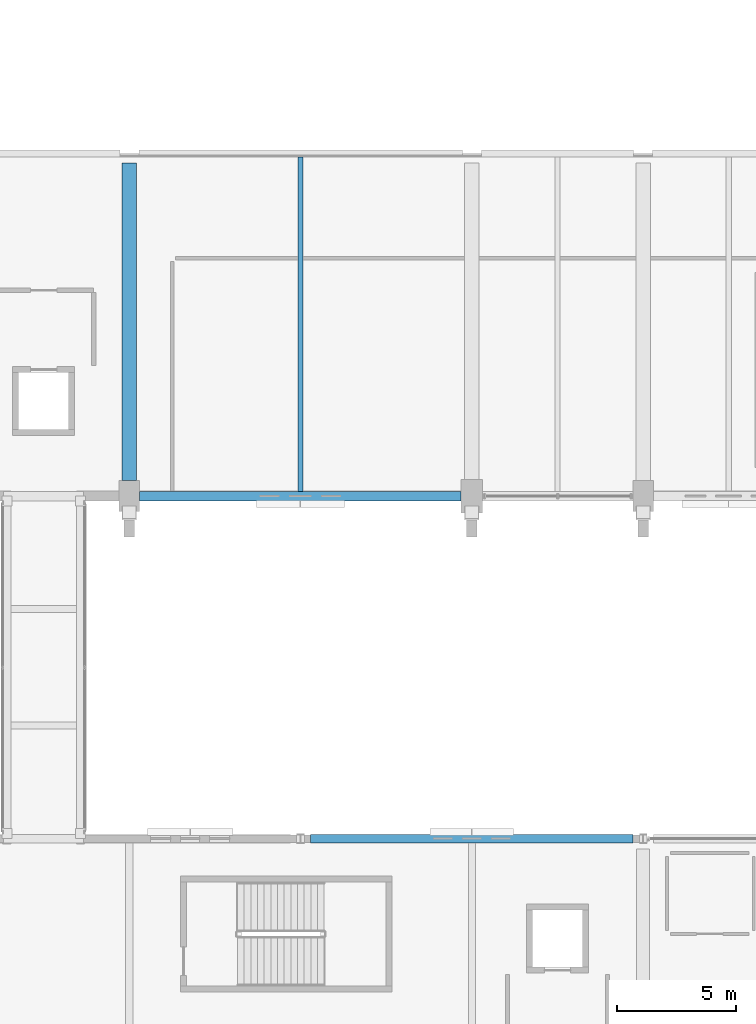
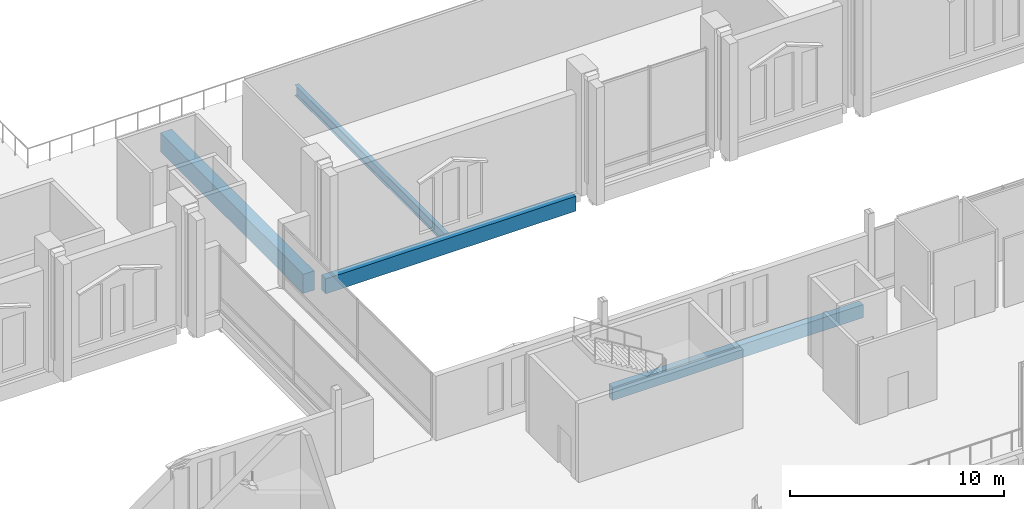
# One storey, part 34 of 220: 4 beams.
"""IFC4 building model written with IfcOpenShell, lengths in metres."""

from ifc_helpers import new_model, si_unit, direction, frame, origin, origin_2d, place, context, subcontext, project, spatial, rectangle, i_section, extrude, material, material_profile, profile_set, type_object, element, save


model = new_model("IFC4")

# Units and contexts
model_context = context("Model", 3, precision=1e-05, world=origin(), true_north=direction((0.0, 1.0)))
body_context = subcontext(model_context, "Body", "Model", "MODEL_VIEW")
ifc_project = project(units=[si_unit("LENGTHUNIT", "METRE"), si_unit("AREAUNIT", "SQUARE_METRE"), si_unit("VOLUMEUNIT", "CUBIC_METRE"), si_unit("PLANEANGLEUNIT", "RADIAN"), si_unit("MASSUNIT", "GRAM", prefix="KILO")], contexts=[model_context])

# Site, building, storey
site_placement = place(None, origin())
site = spatial("IfcSite", under=ifc_project, at=site_placement, CompositionType="ELEMENT")
building_placement = place(site_placement, origin())
building = spatial("IfcBuilding", under=site, at=building_placement, Name="Cendralis Lancet Convention Centre", CompositionType="ELEMENT")
storey_placement = place(building_placement, frame((0.0, 0.0, 5.39990234375)))
storey = spatial("IfcBuildingStorey", under=building, at=storey_placement, Name="L01", CompositionType="ELEMENT", Elevation=5.39990234375)

# Beams
ifc_material_1 = material(Name="Concrete G40 (C40/50)", Category="concrete")
ifc_material_profile_1 = material_profile(ifc_material_1, rectangle(XDim=0.60009765625, YDim=1.10009765625, at=origin_2d()), Name="RCB 600x1100")
ifc_profile_set_1 = profile_set([ifc_material_profile_1], Name="Concrete G40 (C40/50)")
beam_type_1 = type_object("IfcBeamType", Name="STR-BM-BG02", PredefinedType="BEAM", material=ifc_profile_set_1)
beam_1_placement = place(storey_placement, frame((21.60009765625, 51.050048828125, -0.829833984375), z_axis=(0.0, 1.0, 0.0), x_axis=(-1.0, 0.0, 0.0)))
element("IfcBeam", 1, at=beam_1_placement, inside=storey, type_object=beam_type_1, Name="L01 Beam BG02 #1216", PredefinedType="BEAM", context=body_context, shape_type="SweptSolid", body=[
    extrude(rectangle(XDim=0.60009765625, YDim=1.10009765625, at=origin_2d()), origin(), (0.0, 0.0, 1.0), 13.349853515625),
])
ifc_material_2 = material(Name="Steel S355", Category="steel")
ifc_material_profile_2 = material_profile(ifc_material_2, i_section(OverallWidth=0.219970703125, OverallDepth=0.60009765625, WebThickness=0.011962890625, FlangeThickness=0.01904296875, FilletRadius=0.02392578125, at=origin_2d()), Name="IPE 600")
ifc_profile_set_2 = profile_set([ifc_material_profile_2], Name="Steel S355")
beam_type_2 = type_object("IfcBeamType", Name="STR-JS-BJ04", PredefinedType="JOIST", material=ifc_profile_set_2)
beam_2_placement = place(storey_placement, frame((28.800048828125, 50.60009765625, -0.579833984375), z_axis=(0.0, 1.0, 0.0), x_axis=(-1.0, 0.0, 0.0)))
element("IfcBeam", 2, at=beam_2_placement, inside=storey, type_object=beam_type_2, Name="L01 Beam BJ04 #1226", PredefinedType="JOIST", context=body_context, shape_type="SweptSolid", body=[
    extrude(i_section(OverallWidth=0.219970703125, OverallDepth=0.60009765625, WebThickness=0.011962890625, FlangeThickness=0.01904296875, FilletRadius=0.02392578125, at=origin_2d()), origin(), (0.0, 0.0, 1.0), 14.0498046875),
])
ifc_material_profile_3 = material_profile(ifc_material_1, rectangle(XDim=0.35009765625, YDim=0.75, at=origin_2d()), Name="RCB 350x750")
ifc_profile_set_3 = profile_set([ifc_material_profile_3], Name="Concrete G40 (C40/50)")
beam_type_3 = type_object("IfcBeamType", Name="STR-SP-SP01", PredefinedType="SPANDREL", material=ifc_profile_set_3)
beam_3_placement = place(storey_placement, frame((29.22509765625, 36.0, -0.65478515625), z_axis=(1.0, 0.0, 0.0), x_axis=(0.0, 1.0, 0.0)))
element("IfcBeam", 3, at=beam_3_placement, inside=storey, type_object=beam_type_3, Name="L01 Beam SP01 #0764", PredefinedType="SPANDREL", context=body_context, shape_type="SweptSolid", body=[
    extrude(rectangle(XDim=0.35009765625, YDim=0.75, at=origin_2d()), origin(), (0.0, 0.0, 1.0), 13.5498046875),
])
ifc_material_profile_4 = material_profile(ifc_material_1, rectangle(XDim=0.39990234375, YDim=0.85009765625, at=origin_2d()), Name="RCB 400x850")
ifc_profile_set_4 = profile_set([ifc_material_profile_4], Name="Concrete G40 (C40/50)")
beam_type_4 = type_object("IfcBeamType", Name="STR-SP-SP02", PredefinedType="SPANDREL", material=ifc_profile_set_4)
beam_4_placement = place(storey_placement, frame((22.02490234375, 50.39990234375, -0.704833984375), z_axis=(1.0, 0.0, 0.0), x_axis=(0.0, 1.0, 0.0)))
element("IfcBeam", 4, at=beam_4_placement, inside=storey, type_object=beam_type_4, Name="L01 Beam SP02 #1196", PredefinedType="SPANDREL", context=body_context, shape_type="SweptSolid", body=[
    extrude(rectangle(XDim=0.39990234375, YDim=0.85009765625, at=origin_2d()), origin(), (0.0, 0.0, 1.0), 13.525146484375),
])

save(model, "model.ifc")
